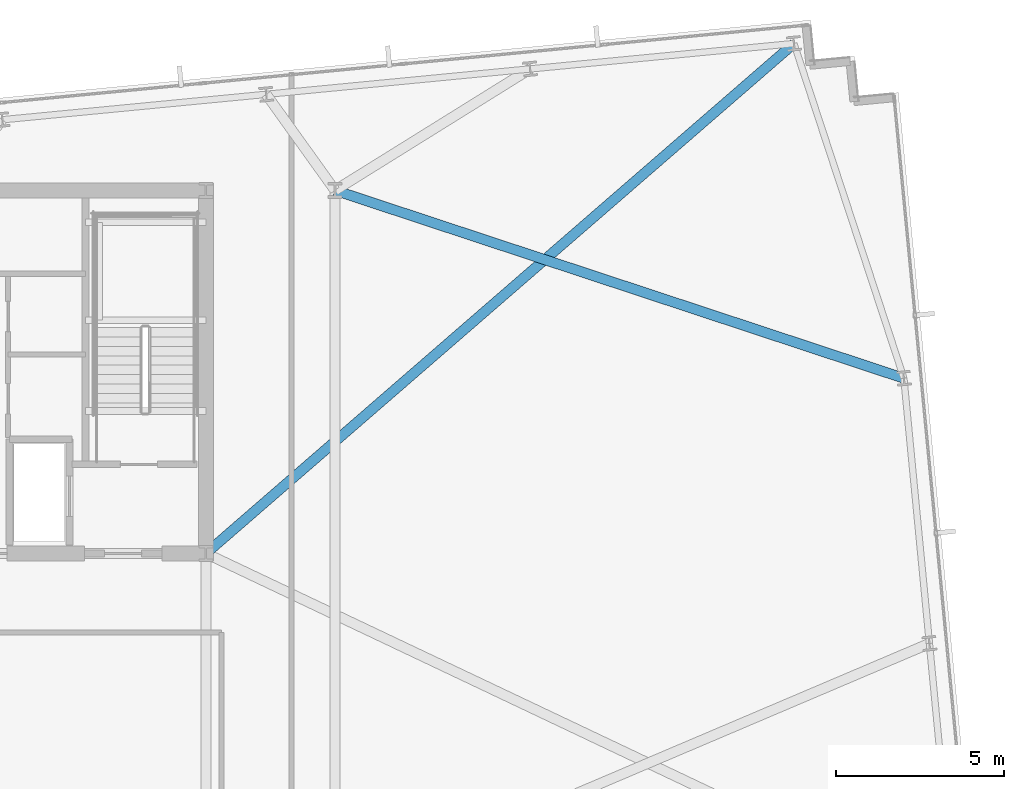
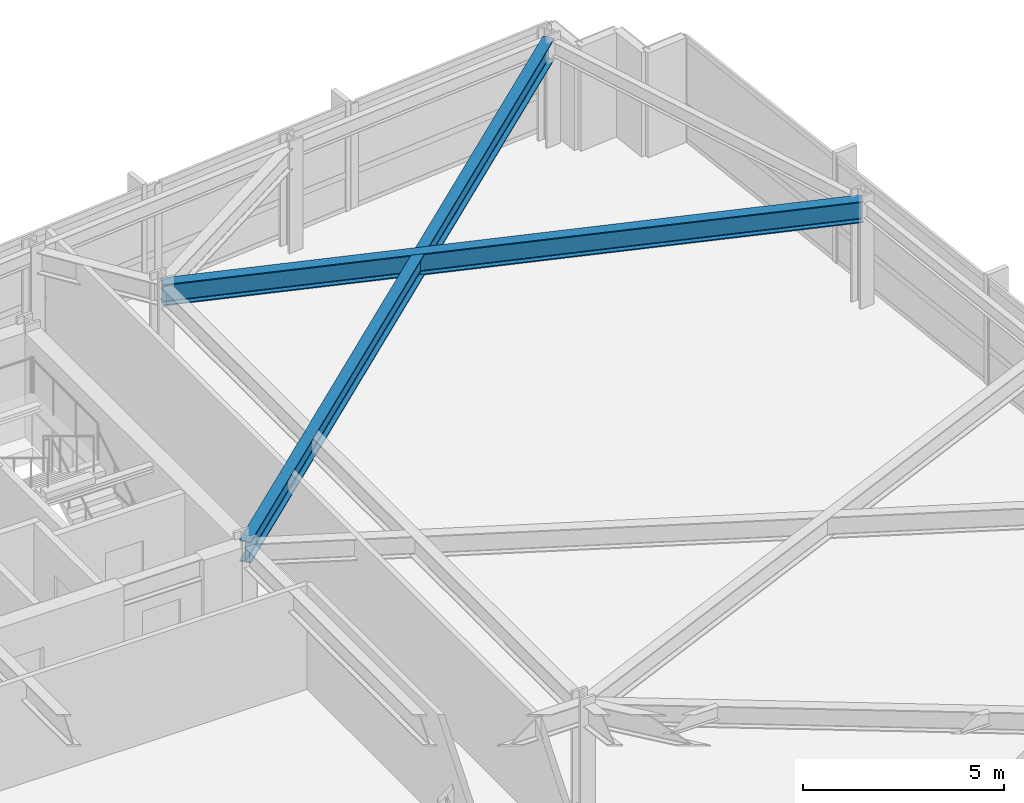
# One storey, part 22 of 33: 2 beams.
"""IFC4 building model written with IfcOpenShell, lengths in metres."""

from ifc_helpers import new_model, si_unit, direction, frame, origin, origin_2d, place, context, subcontext, project, spatial, i_section, extrude, material, material_profile, profile_set, type_object, element, save


model = new_model("IFC4")

# Units and contexts
model_context = context("Model", 3, precision=1e-05, world=origin(), true_north=direction((0.0, 1.0)))
body_context = subcontext(model_context, "Body", "Model", "MODEL_VIEW")
ifc_project = project(units=[si_unit("LENGTHUNIT", "METRE"), si_unit("AREAUNIT", "SQUARE_METRE"), si_unit("VOLUMEUNIT", "CUBIC_METRE"), si_unit("PLANEANGLEUNIT", "RADIAN"), si_unit("MASSUNIT", "GRAM", prefix="KILO")], contexts=[model_context])

# Site, building, storey
site_placement = place(None, origin())
site = spatial("IfcSite", under=ifc_project, at=site_placement, CompositionType="ELEMENT")
building_placement = place(site_placement, origin())
building = spatial("IfcBuilding", under=site, at=building_placement, Name="Yelkora Congress Tower", CompositionType="ELEMENT")
storey_placement = place(building_placement, frame((0.0, 0.0, 89.699951171875)))
storey = spatial("IfcBuildingStorey", under=building, at=storey_placement, Name="L23", CompositionType="ELEMENT", Elevation=89.699951171875)

# Beams
ifc_material = material(Name="Steel S355J2", Category="steel")
ifc_material_profile = material_profile(ifc_material, i_section(OverallWidth=0.300048828125, OverallDepth=0.64990234375, WebThickness=0.01611328125, FlangeThickness=0.031005859375, FilletRadius=0.027099609375, at=origin_2d()), Name="HEB 650")
ifc_profile_set = profile_set([ifc_material_profile], Name="Steel S355J2")
beam_type = type_object("IfcBeamType", Name="BM-GIRD-HEB650", PredefinedType="BEAM", material=ifc_profile_set)
beam_1_placement = place(storey_placement, frame((71.252685546875, 50.568115234375, 2.85498046875), z_axis=(-0.755520317406, -0.655125217029, 0.0), x_axis=(0.655125217029, -0.755520317406, 0.0)))
element("IfcBeam", 1, at=beam_1_placement, inside=storey, type_object=beam_type, Name="L23 Primary Frame Girder N08", PredefinedType="BEAM", context=body_context, shape_type="SweptSolid", body=[
    extrude(i_section(OverallWidth=0.300048828125, OverallDepth=0.64990234375, WebThickness=0.01611328125, FlangeThickness=0.031005859375, FilletRadius=0.027099609375, at=origin_2d()), origin(), (0.0, 0.0, 1.0), 23.153076171875),
])
beam_2_placement = place(storey_placement, frame((74.522216796875, 40.610595703125, 2.85498046875), z_axis=(-0.949544183597, 0.313633294465, 0.0), x_axis=(-0.313633294465, -0.949544183597, 0.0)))
element("IfcBeam", 2, at=beam_2_placement, inside=storey, type_object=beam_type, Name="L23 Primary Frame Girder E03", PredefinedType="BEAM", context=body_context, shape_type="SweptSolid", body=[
    extrude(i_section(OverallWidth=0.300048828125, OverallDepth=0.64990234375, WebThickness=0.01611328125, FlangeThickness=0.031005859375, FilletRadius=0.027099609375, at=origin_2d()), origin(), (0.0, 0.0, 1.0), 17.8212890625),
])

save(model, "model.ifc")
